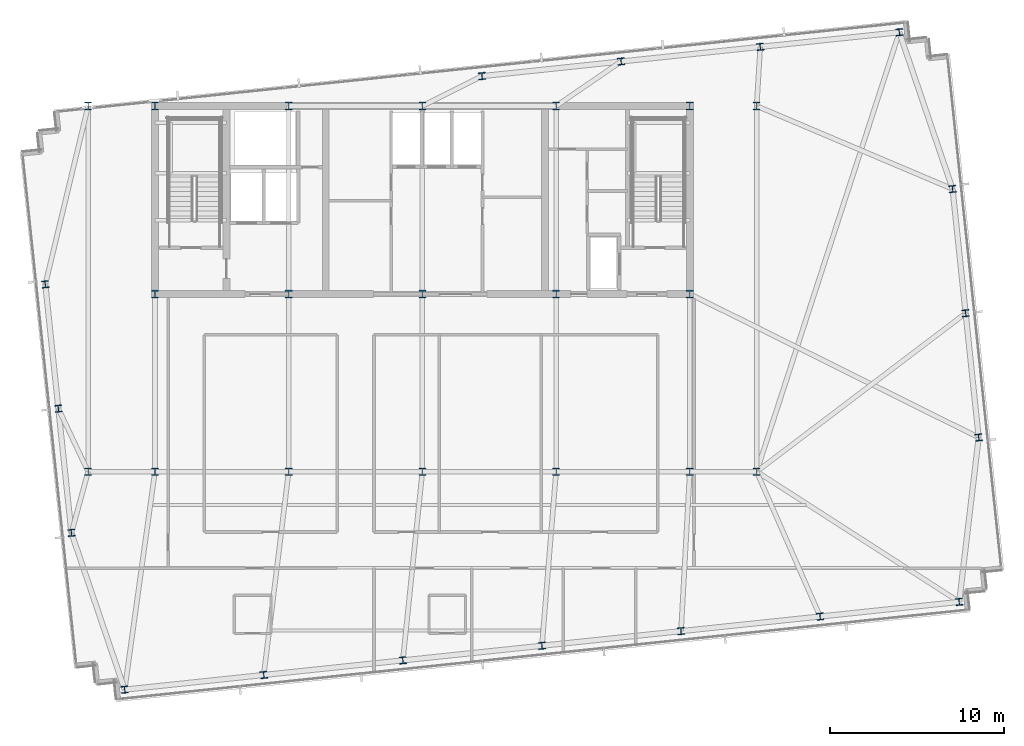
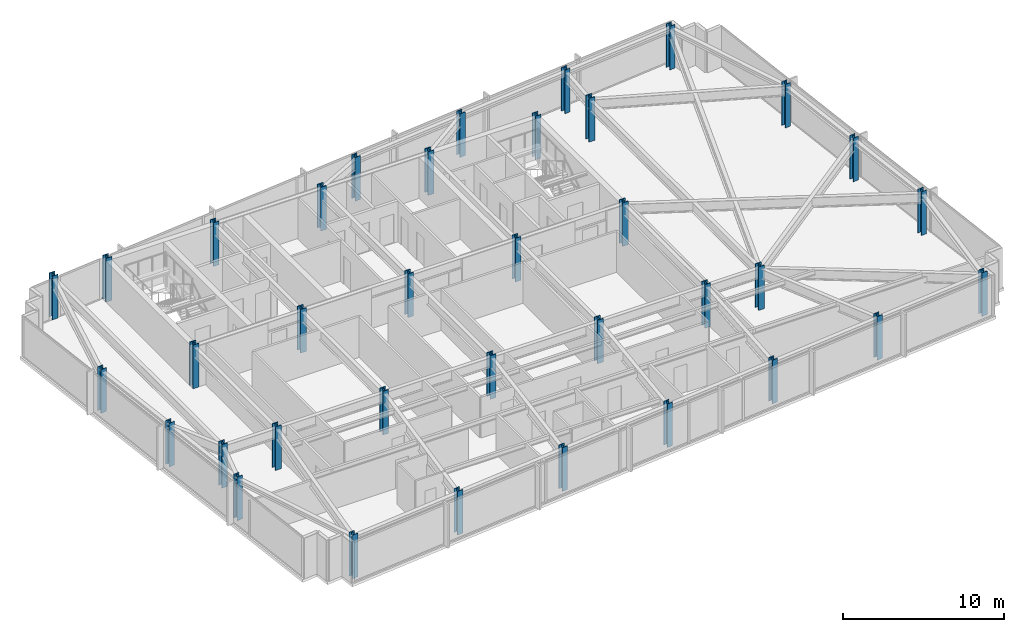
# One storey, part 1 of 32: 36 columns.
"""IFC4 building model written with IfcOpenShell, lengths in metres."""

from ifc_helpers import new_model, si_unit, direction, frame, origin, origin_2d, place, context, subcontext, project, spatial, i_section, extrude, material, material_profile, profile_set, type_object, element, save


model = new_model("IFC4")

# Units and contexts
model_context = context("Model", 3, precision=1e-05, world=origin(), true_north=direction((0.0, 1.0)))
body_context = subcontext(model_context, "Body", "Model", "MODEL_VIEW")
ifc_project = project(units=[si_unit("LENGTHUNIT", "METRE"), si_unit("AREAUNIT", "SQUARE_METRE"), si_unit("VOLUMEUNIT", "CUBIC_METRE"), si_unit("PLANEANGLEUNIT", "RADIAN"), si_unit("MASSUNIT", "GRAM", prefix="KILO")], contexts=[model_context])

# Site, building, storey
site_placement = place(None, origin())
site = spatial("IfcSite", under=ifc_project, at=site_placement, CompositionType="ELEMENT")
building_placement = place(site_placement, origin())
building = spatial("IfcBuilding", under=site, at=building_placement, Name="Yelkora Congress Tower", CompositionType="ELEMENT")
storey_placement = place(building_placement, frame((0.0, 0.0, 214.39990234375)))
storey = spatial("IfcBuildingStorey", under=building, at=storey_placement, Name="L59", CompositionType="ELEMENT", Elevation=214.39990234375)

# Columns
ifc_material_1 = material(Name="Steel S355J2", Category="steel")
ifc_material_profile_1 = material_profile(ifc_material_1, i_section(OverallWidth=0.40087890625, OverallDepth=0.39892578125, WebThickness=0.02490234375, FlangeThickness=0.03955078125, FilletRadius=0.014892578125, at=origin_2d()), Name="HD 400x314")
ifc_profile_set_1 = profile_set([ifc_material_profile_1], Name="Steel S355J2")
column_type_1 = type_object("IfcColumnType", Name="COL-HD-314-EXT", PredefinedType="COLUMN", material=ifc_profile_set_1)
for number, where, z_axis, x_axis, name in (
    (1, (21.299072265625, 12.678466796875, 0.0), (0.0, 0.0, 1.0), (0.994521895368, 0.104528463268, 0.0), "L59 Perimeter Column S01"),
    (2, (29.288330078125, 13.518310546875, 0.0), (0.0, 0.0, 1.0), (0.994521895368, 0.104528463268, 0.0), "L59 Perimeter Column S02"),
    (3, (37.277587890625, 14.35791015625, 0.0), (0.0, 0.0, 1.0), (0.994521895368, 0.104528463268, 0.0), "L59 Perimeter Column S03"),
    (4, (45.26708984375, 15.197509765625, 0.0), (0.0, 0.0, 1.0), (0.994521895368, 0.104528463268, 0.0), "L59 Perimeter Column S04"),
    (5, (53.25634765625, 16.037353515625, 0.0), (0.0, 0.0, 1.0), (0.994521895368, 0.104528463268, 0.0), "L59 Perimeter Column S05"),
    (6, (61.24560546875, 16.877197265625, 0.0), (0.0, 0.0, 1.0), (0.994521895368, 0.104528463268, 0.0), "L59 Perimeter Column S06"),
    (7, (69.235107421875, 17.716796875, 0.0), (0.0, 0.0, 1.0), (0.994521895368, 0.104528463268, 0.0), "L59 Perimeter Column S07"),
    (8, (41.828125, 47.91748046875, 0.0), (0.0, 0.0, 1.0), (0.994521895368, 0.104528463268, 0.0), "L59 Perimeter Column N04"),
    (9, (49.8173828125, 48.757080078125, 0.0), (0.0, 0.0, 1.0), (0.994521895368, 0.104528463268, 0.0), "L59 Perimeter Column N05"),
    (10, (57.806640625, 49.5966796875, 0.0), (0.0, 0.0, 1.0), (0.994521895368, 0.104528463268, 0.0), "L59 Perimeter Column N06"),
    (11, (65.7958984375, 50.4365234375, 0.0), (0.0, 0.0, 1.0), (0.994521895368, 0.104528463268, 0.0), "L59 Perimeter Column N07"),
    (12, (18.2412109375, 21.68310546875, 0.0), (0.0, 0.0, 1.0), (0.994521895368, 0.104528463268, 0.0), "L59 Perimeter Column W01"),
    (13, (70.35400390625, 27.160400390625, 0.0), (0.0, 0.0, 1.0), (0.994521895368, 0.104528463268, 0.0), "L59 Perimeter Column E01"),
    (14, (17.4912109375, 28.81884765625, 0.0), (0.0, 0.0, 1.0), (0.994521895368, 0.104528463268, 0.0), "L59 Perimeter Column W02"),
    (15, (69.60400390625, 34.296142578125, 0.0), (0.0, 0.0, 1.0), (0.994521895368, 0.104528463268, 0.0), "L59 Perimeter Column E02"),
    (16, (16.7412109375, 35.95458984375, 0.0), (0.0, 0.0, 1.0), (0.994521895368, 0.104528463268, 0.0), "L59 Perimeter Column W03"),
    (17, (68.85400390625, 41.431884765625, 0.0), (0.0, 0.0, 1.0), (0.994521895368, 0.104528463268, 0.0), "L59 Perimeter Column E03"),
):
    element("IfcColumn", number, at=place(storey_placement, frame(where, z_axis=z_axis, x_axis=x_axis)), inside=storey, type_object=column_type_1, Name=name, PredefinedType="COLUMN", context=body_context, shape_type="SweptSolid", body=[
        extrude(i_section(OverallWidth=0.40087890625, OverallDepth=0.39892578125, WebThickness=0.02490234375, FlangeThickness=0.03955078125, FilletRadius=0.014892578125, at=origin_2d()), origin(), (0.0, 0.0, 1.0), 3.300048828125),
    ])
ifc_material_2 = material(Name="Steel S460M", Category="steel")
ifc_material_profile_2 = material_profile(ifc_material_2, i_section(OverallWidth=0.412109375, OverallDepth=0.43505859375, WebThickness=0.035888671875, FlangeThickness=0.05810546875, FilletRadius=0.014892578125, at=origin_2d()), Name="HD 400x463")
ifc_profile_set_2 = profile_set([ifc_material_profile_2], Name="Steel S460M")
column_type_2 = type_object("IfcColumnType", Name="COL-HD-463", PredefinedType="COLUMN", material=ifc_profile_set_2)
for number, where, z_axis, x_axis, name in (
    (18, (23.0400390625, 35.39990234375, 0.0), (0.0, 0.0, 1.0), (1.0, 0.0, 0.0), "L59 Mega Column MC-S1"),
    (19, (23.0400390625, 46.199951171875, 0.0), (0.0, 0.0, 1.0), (1.0, 0.0, 0.0), "L59 Mega Column MC-N1"),
    (20, (23.0400390625, 25.199951171875, 0.0), (0.0, 0.0, 1.0), (1.0, 0.0, 0.0), "L59 Mega Column MC-D1"),
    (21, (30.719970703125, 35.39990234375, 0.0), (0.0, 0.0, 1.0), (1.0, 0.0, 0.0), "L59 Mega Column MC-S2"),
    (22, (30.719970703125, 46.199951171875, 0.0), (0.0, 0.0, 1.0), (1.0, 0.0, 0.0), "L59 Mega Column MC-N2"),
    (23, (30.719970703125, 25.199951171875, 0.0), (0.0, 0.0, 1.0), (1.0, 0.0, 0.0), "L59 Mega Column MC-D2"),
    (24, (38.39990234375, 35.39990234375, 0.0), (0.0, 0.0, 1.0), (1.0, 0.0, 0.0), "L59 Mega Column MC-S3"),
    (25, (38.39990234375, 46.199951171875, 0.0), (0.0, 0.0, 1.0), (1.0, 0.0, 0.0), "L59 Mega Column MC-N3"),
    (26, (38.39990234375, 25.199951171875, 0.0), (0.0, 0.0, 1.0), (1.0, 0.0, 0.0), "L59 Mega Column MC-D3"),
    (27, (46.080078125, 35.39990234375, 0.0), (0.0, 0.0, 1.0), (1.0, 0.0, 0.0), "L59 Mega Column MC-S4"),
    (28, (46.080078125, 46.199951171875, 0.0), (0.0, 0.0, 1.0), (1.0, 0.0, 0.0), "L59 Mega Column MC-N4"),
    (29, (46.080078125, 25.199951171875, 0.0), (0.0, 0.0, 1.0), (1.0, 0.0, 0.0), "L59 Mega Column MC-D4"),
    (30, (53.760009765625, 35.39990234375, 0.0), (0.0, 0.0, 1.0), (1.0, 0.0, 0.0), "L59 Mega Column MC-S5"),
    (31, (53.760009765625, 46.199951171875, 0.0), (0.0, 0.0, 1.0), (1.0, 0.0, 0.0), "L59 Mega Column MC-N5"),
    (32, (53.760009765625, 25.199951171875, 0.0), (0.0, 0.0, 1.0), (1.0, 0.0, 0.0), "L59 Mega Column MC-D5"),
    (33, (19.199951171875, 25.199951171875, 0.0), (0.0, 0.0, 1.0), (1.0, 0.0, 0.0), "L59 Mega Column MC-F1"),
    (34, (57.60009765625, 25.199951171875, 0.0), (0.0, 0.0, 1.0), (1.0, 0.0, 0.0), "L59 Mega Column MC-F2"),
    (35, (19.199951171875, 46.199951171875, 0.0), (0.0, 0.0, 1.0), (1.0, 0.0, 0.0), "L59 Mega Column MC-F3"),
    (36, (57.60009765625, 46.199951171875, 0.0), (0.0, 0.0, 1.0), (1.0, 0.0, 0.0), "L59 Mega Column MC-F4"),
):
    element("IfcColumn", number, at=place(storey_placement, frame(where, z_axis=z_axis, x_axis=x_axis)), inside=storey, type_object=column_type_2, Name=name, PredefinedType="COLUMN", context=body_context, shape_type="SweptSolid", body=[
        extrude(i_section(OverallWidth=0.412109375, OverallDepth=0.43505859375, WebThickness=0.035888671875, FlangeThickness=0.05810546875, FilletRadius=0.014892578125, at=origin_2d()), origin(), (0.0, 0.0, 1.0), 3.300048828125),
    ])

save(model, "model.ifc")
